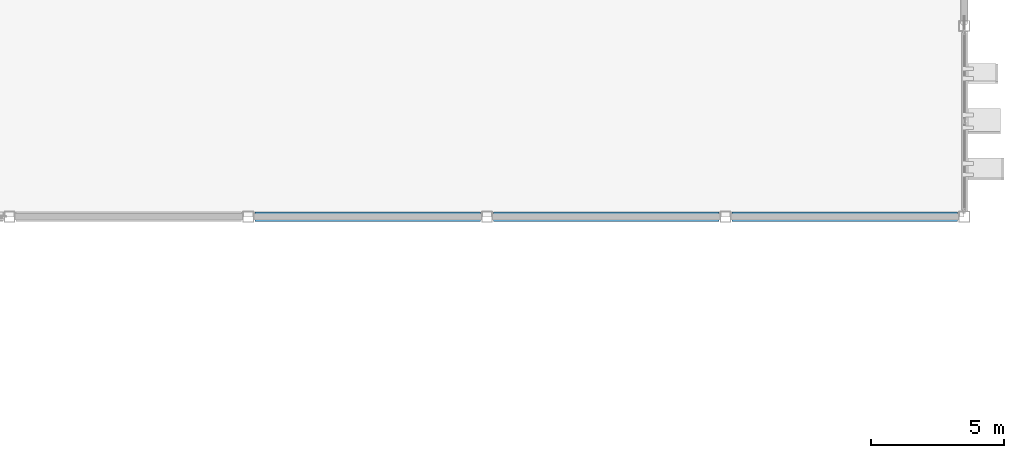
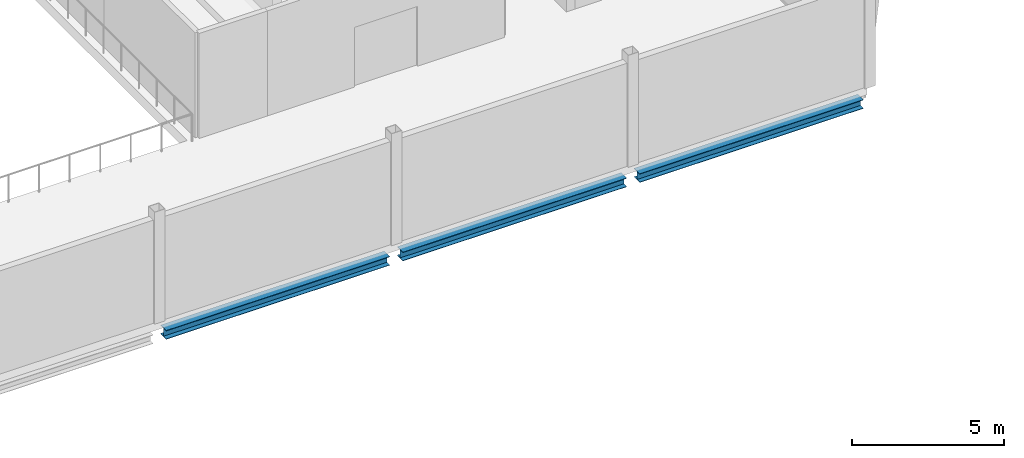
# One storey, part 63 of 151: 3 beams.
"""IFC4 building model written with IfcOpenShell, lengths in metres."""

from ifc_helpers import new_model, si_unit, direction, frame, origin, origin_2d, place, context, subcontext, project, spatial, i_section, extrude, material, material_profile, profile_set, type_object, element, save


model = new_model("IFC4")

# Units and contexts
model_context = context("Model", 3, precision=1e-05, world=origin(), true_north=direction((0.0, 1.0)))
body_context = subcontext(model_context, "Body", "Model", "MODEL_VIEW")
ifc_project = project(units=[si_unit("LENGTHUNIT", "METRE"), si_unit("AREAUNIT", "SQUARE_METRE"), si_unit("VOLUMEUNIT", "CUBIC_METRE"), si_unit("PLANEANGLEUNIT", "RADIAN"), si_unit("MASSUNIT", "GRAM", prefix="KILO")], contexts=[model_context])

# Site, building, storey
site_placement = place(None, origin())
site = spatial("IfcSite", under=ifc_project, at=site_placement, CompositionType="ELEMENT")
building_placement = place(site_placement, origin())
building = spatial("IfcBuilding", under=site, at=building_placement, Name="Celestram Park Convention Centre", CompositionType="ELEMENT")
storey_placement = place(building_placement, frame((0.0, 0.0, 10.800048828125)))
storey = spatial("IfcBuildingStorey", under=building, at=storey_placement, Name="L02", CompositionType="ELEMENT", Elevation=10.800048828125)

# Beams
ifc_material = material(Name="Steel ASTM A992 Grade 50", Category="steel")
ifc_material_profile = material_profile(ifc_material, i_section(OverallWidth=0.367919921875, OverallDepth=0.35595703125, WebThickness=0.01123046875, FlangeThickness=0.01806640625, at=origin_2d()), Name="W14X90")
ifc_profile_set = profile_set([ifc_material_profile], Name="Steel ASTM A992 Grade 50")
beam_type = type_object("IfcBeamType", Name="STR-SPN-W14X90", PredefinedType="SPANDREL", material=ifc_profile_set)
for number, where, z_axis, x_axis, name in (
    (1, (189.248046875, 115.199951171875, -0.59814453125), (1.0, 0.0, 0.0), (0.0, 1.0, 0.0), "Primary X-girder BG-L02-0334"),
    (2, (198.248046875, 115.199951171875, -0.59814453125), (1.0, 0.0, 0.0), (0.0, 1.0, 0.0), "Primary X-girder BG-L02-0347"),
    (3, (207.248046875, 115.199951171875, -0.59814453125), (1.0, 0.0, 0.0), (0.0, 1.0, 0.0), "Primary X-girder BG-L02-0358"),
):
    element("IfcBeam", number, at=place(storey_placement, frame(where, z_axis=z_axis, x_axis=x_axis)), inside=storey, type_object=beam_type, Name=name, PredefinedType="SPANDREL", context=body_context, shape_type="SweptSolid", body=[
        extrude(i_section(OverallWidth=0.367919921875, OverallDepth=0.35595703125, WebThickness=0.01123046875, FlangeThickness=0.01806640625, at=origin_2d()), origin(), (0.0, 0.0, 1.0), 8.50390625),
    ])

save(model, "model.ifc")
